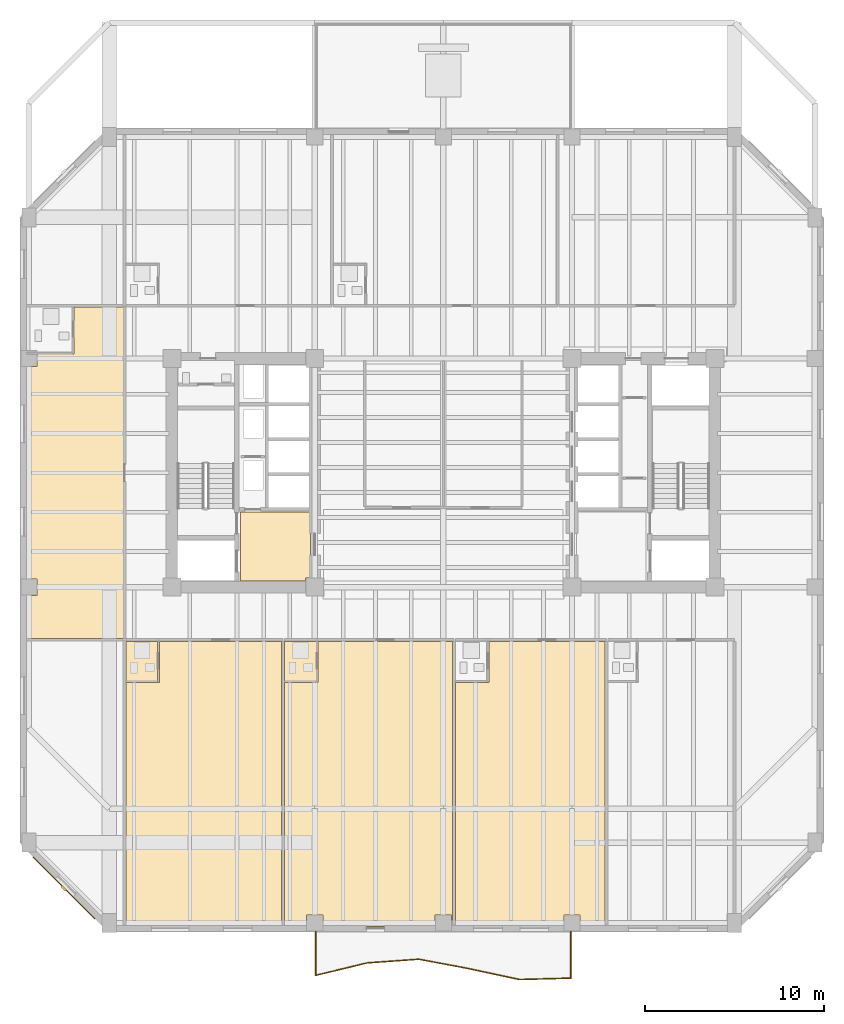
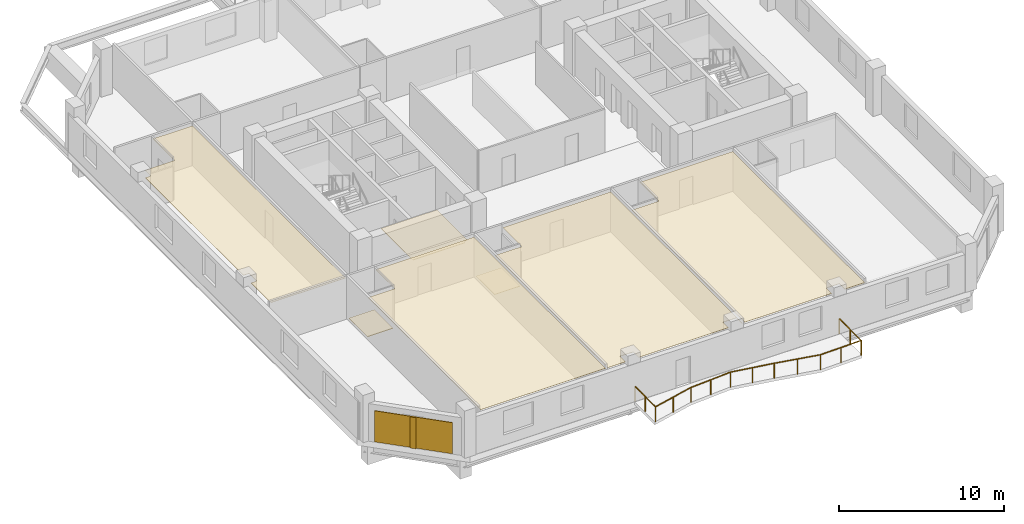
# One storey, part 7 of 11: 8 coverings, 1 railing, 1 shading device.
"""IFC4 building model written with IfcOpenShell, lengths in metres."""

from ifc_helpers import new_model, si_unit, direction, frame, origin, origin_2d, place, context, subcontext, project, spatial, polyline, rectangle, circle, outline, extrude, material, layer, layer_set, type_object, element, save


model = new_model("IFC4")

# Units and contexts
model_context = context("Model", 3, precision=1e-05, world=origin(), true_north=direction((0.0, 1.0)))
body_context = subcontext(model_context, "Body", "Model", "MODEL_VIEW")
ifc_project = project(units=[si_unit("LENGTHUNIT", "METRE"), si_unit("AREAUNIT", "SQUARE_METRE"), si_unit("VOLUMEUNIT", "CUBIC_METRE"), si_unit("PLANEANGLEUNIT", "RADIAN"), si_unit("MASSUNIT", "GRAM", prefix="KILO")], contexts=[model_context])

# Site, building, storey
site_placement = place(None, origin())
site = spatial("IfcSite", under=ifc_project, at=site_placement, CompositionType="ELEMENT")
building_placement = place(site_placement, origin())
building = spatial("IfcBuilding", under=site, at=building_placement, Name="Kranthara Brick Stack", CompositionType="ELEMENT")
storey_placement = place(building_placement, frame((0.0, 0.0, 120.300048828125)))
storey = spatial("IfcBuildingStorey", under=building, at=storey_placement, Name="L29", CompositionType="ELEMENT", Elevation=120.300048828125)

# Coverings
ifc_material_1 = material(Name="Perforated mineral-fibre acoustic ceiling tile", Category="other")
ifc_layer_1 = layer(ifc_material_1, 0.02490234375)
ifc_layer_set_1 = layer_set([ifc_layer_1], Name="Perforated mineral-fibre acoustic ceiling tile")
covering_type_1 = type_object("IfcCoveringType", Name="COV-CEIL-ACOUSTIC", PredefinedType="CEILING", material=ifc_layer_set_1)
covering_1_placement = place(storey_placement, frame((0.0, 0.0, 2.929931640625)))
element("IfcCovering", 1, at=covering_1_placement, inside=storey, type_object=covering_type_1, Name="L29 Room L29-01 Corner Junior Suite Acoustic Ceiling", PredefinedType="CEILING", context=body_context, shape_type="SweptSolid", body=[
    extrude(outline(polyline([(10.22998046875, 1.800048828125), (18.948974609375, 1.800048828125), (18.948974609375, 17.77001953125), (12.110107421875, 17.77001953125), (12.110107421875, 15.4599609375), (10.22998046875, 15.4599609375), (10.22998046875, 1.800048828125)])), origin(), (0.0, 0.0, 1.0), 0.02490234375),
])
covering_2_placement = place(storey_placement, frame((0.0, 0.0, 2.929931640625)))
element("IfcCovering", 2, at=covering_2_placement, inside=storey, type_object=covering_type_1, Name="L29 Room L29-02 Corner Junior Suite Acoustic Ceiling", PredefinedType="CEILING", context=body_context, shape_type="SweptSolid", body=[
    extrude(outline(polyline([(19.10888671875, 15.4599609375), (20.989013671875, 15.4599609375), (20.989013671875, 17.77001953125), (28.510986328125, 17.77001953125), (28.510986328125, 1.800048828125), (28.4599609375, 1.800048828125), (28.4599609375, 2.4599609375), (27.5400390625, 2.4599609375), (27.5400390625, 1.800048828125), (21.260009765625, 1.800048828125), (21.260009765625, 2.4599609375), (20.340087890625, 2.4599609375), (20.340087890625, 1.800048828125), (19.10888671875, 1.800048828125), (19.10888671875, 15.4599609375)])), origin(), (0.0, 0.0, 1.0), 0.02490234375),
])
covering_3_placement = place(storey_placement, frame((0.0, 0.0, 2.929931640625)))
element("IfcCovering", 3, at=covering_3_placement, inside=storey, type_object=covering_type_1, Name="L29 Room L29-03 Corner Junior Suite Acoustic Ceiling", PredefinedType="CEILING", context=body_context, shape_type="SweptSolid", body=[
    extrude(outline(polyline([(28.6708984375, 1.800048828125), (28.6708984375, 15.4599609375), (30.551025390625, 15.4599609375), (30.551025390625, 17.77001953125), (37.049072265625, 17.77001953125), (37.049072265625, 1.800048828125), (35.659912109375, 1.800048828125), (35.659912109375, 2.4599609375), (34.739990234375, 2.4599609375), (34.739990234375, 1.800048828125), (28.6708984375, 1.800048828125)])), origin(), (0.0, 0.0, 1.0), 0.02490234375),
])
covering_4_placement = place(storey_placement, frame((0.0, 0.0, 2.929931640625)))
element("IfcCovering", 4, at=covering_4_placement, inside=storey, type_object=covering_type_1, Name="L29 Room L29-08 Corner Junior Suite Acoustic Ceiling", PredefinedType="CEILING", context=body_context, shape_type="SweptSolid", body=[
    extrude(outline(polyline([(7.330078125, 33.840087890625), (7.330078125, 36.469970703125), (10.080078125, 36.469970703125), (10.080078125, 17.929931640625), (4.8701171875, 17.929931640625), (4.8701171875, 20.340087890625), (5.260009765625, 20.340087890625), (5.260009765625, 21.260009765625), (4.8701171875, 21.260009765625), (4.8701171875, 33.139892578125), (5.260009765625, 33.139892578125), (5.260009765625, 33.840087890625), (7.330078125, 33.840087890625)])), origin(), (0.0, 0.0, 1.0), 0.02490234375),
])
ifc_material_2 = material(Name="Warm buff kiln-fired brick slip rainscreen", Category="masonry")
ifc_layer_2 = layer(ifc_material_2, 0.044921875)
ifc_layer_set_2 = layer_set([ifc_layer_2], Name="Warm buff kiln-fired brick slip rainscreen")
covering_type_2 = type_object("IfcCoveringType", Name="COV-CLAD-BRICK", PredefinedType="CLADDING", material=ifc_layer_set_2)
covering_5_placement = place(storey_placement, frame((6.759521484375, 3.959716796875, 0.0498046875), z_axis=(0.0, 0.0, 1.0), x_axis=(-0.707106781187, 0.707106781187, 0.0)))
element("IfcCovering", 5, at=covering_5_placement, inside=storey, type_object=covering_type_2, Name="L29 Chamfer Brick Rainscreen Cladding SW", PredefinedType="CLADDING", context=body_context, shape_type="SweptSolid", body=[
    extrude(rectangle(XDim=4.89306640625, YDim=0.044921875, at=origin_2d()), origin(), (0.0, 0.0, 1.0), 2.300048828125),
])
ifc_material_3 = material(Name="Honed terrazzo and porcelain floor finish", Category="stone")
ifc_layer_3 = layer(ifc_material_3, 0.030029296875)
ifc_layer_set_3 = layer_set([ifc_layer_3], Name="Honed terrazzo and porcelain floor finish")
covering_type_3 = type_object("IfcCoveringType", Name="COV-FLOR-STONE", PredefinedType="FLOORING", material=ifc_layer_set_3)
covering_6_placement = place(storey_placement, origin())
element("IfcCovering", 6, at=covering_6_placement, inside=storey, type_object=covering_type_3, Name="L29 Lift Lobby Stone Flooring", PredefinedType="FLOORING", context=body_context, shape_type="SweptSolid", body=[
    extrude(outline(polyline([(16.64990234375, 21.14990234375), (16.64990234375, 25.0), (20.550048828125, 25.0), (20.550048828125, 21.31005859375), (20.2900390625, 21.31005859375), (20.2900390625, 21.14990234375), (16.64990234375, 21.14990234375)])), origin(), (0.0, 0.0, 1.0), 0.030029296875),
])
covering_7_placement = place(storey_placement, origin())
element("IfcCovering", 7, at=covering_7_placement, inside=storey, type_object=covering_type_3, Name="L29 Wet Room Porcelain Flooring", PredefinedType="FLOORING", context=body_context, shape_type="SweptSolid", body=[
    extrude(outline(polyline([(10.22998046875, 15.52001953125), (10.22998046875, 17.77001953125), (12.010009765625, 17.77001953125), (12.010009765625, 15.52001953125), (10.22998046875, 15.52001953125)])), origin(), (0.0, 0.0, 1.0), 0.030029296875),
])
covering_8_placement = place(storey_placement, origin())
element("IfcCovering", 8, at=covering_8_placement, inside=storey, type_object=covering_type_3, Name="L29 Wet Room Porcelain Flooring", PredefinedType="FLOORING", context=body_context, shape_type="SweptSolid", body=[
    extrude(outline(polyline([(19.10888671875, 15.52001953125), (19.10888671875, 17.77001953125), (20.888916015625, 17.77001953125), (20.888916015625, 15.52001953125), (19.10888671875, 15.52001953125)])), origin(), (0.0, 0.0, 1.0), 0.030029296875),
])

# Railing
ifc_material_4 = material(Name="Bronze anodised aluminium and laminated glass balustrade", Category="aluminium")
railing_type = type_object("IfcRailingType", Name="RL-BALC-1120", PredefinedType="BALUSTRADE", material=ifc_material_4)
railing_placement = place(storey_placement, frame((35.139892578125, 1.56005859375, 0.0)))
element("IfcRailing", 9, at=railing_placement, inside=storey, type_object=railing_type, Name="L29 South Rippling Balcony Balustrade", PredefinedType="BALUSTRADE", context=body_context, shape_type="SweptSolid", body=[
    extrude(circle(Radius=0.02392578125, at=origin_2d()), frame((0.0, 0.0, 1.09619140625), z_axis=(0.000184365779, -0.999999983005, 0.0), x_axis=(0.999999983005, 0.000184365779, 0.0)), (0.0, 0.0, 1.0), 2.6484375),
    extrude(circle(Radius=0.02392578125, at=origin_2d()), frame((0.00048828125, -2.6484375, 1.09619140625), z_axis=(-0.999627318671, -0.027298786923, 0.0), x_axis=(0.027298786923, -0.999627318671, 0.0)), (0.0, 0.0, 1.0), 2.879638671875),
    extrude(circle(Radius=0.02392578125, at=origin_2d()), frame((-2.878173828125, -2.72705078125, 1.09619140625), z_axis=(-0.97773563355, 0.209840489147, 0.0), x_axis=(-0.209840489147, -0.97773563355, 0.0)), (0.0, 0.0, 1.0), 2.94482421875),
    extrude(circle(Radius=0.02392578125, at=origin_2d()), frame((-5.75732421875, -2.109130859375, 1.09619140625), z_axis=(-0.98278949923, 0.184728991239, 0.0), x_axis=(-0.184728991239, -0.98278949923, 0.0)), (0.0, 0.0, 1.0), 2.81103515625),
    extrude(circle(Radius=0.02392578125, at=origin_2d()), frame((-8.52001953125, -1.58984375, 1.09619140625), z_axis=(-0.997425974582, -0.07170373232, 0.0), x_axis=(0.07170373232, -0.997425974582, 0.0)), (0.0, 0.0, 1.0), 2.88720703125),
    extrude(circle(Radius=0.02392578125, at=origin_2d()), frame((-11.39990234375, -1.796875, 1.09619140625), z_axis=(-0.972172223001, -0.234267302084, 0.0), x_axis=(0.234267302084, -0.972172223001, 0.0)), (0.0, 0.0, 1.0), 2.962890625),
    extrude(circle(Radius=0.02392578125, at=origin_2d()), frame((-14.2802734375, -2.490966796875, 1.09619140625), z_axis=(0.000196020774, 0.999999980788, 0.0), x_axis=(-0.999999980788, 0.000196020774, 0.0)), (0.0, 0.0, 1.0), 2.490966796875),
    extrude(circle(Radius=0.02099609375, at=origin_2d()), origin(), (0.0, 0.0, 1.0), 1.072021484375),
    extrude(circle(Radius=0.02099609375, at=origin_2d()), frame((0.000244140625, -1.32421875, 0.0)), (0.0, 0.0, 1.0), 1.072021484375),
    extrude(circle(Radius=0.02099609375, at=origin_2d()), frame((0.00048828125, -2.6484375, 0.0)), (0.0, 0.0, 1.0), 1.072021484375),
    extrude(circle(Radius=0.02099609375, at=origin_2d()), frame((-1.43896484375, -2.687744140625, 0.0)), (0.0, 0.0, 1.0), 1.072021484375),
    extrude(circle(Radius=0.02099609375, at=origin_2d()), frame((-2.878173828125, -2.72705078125, 0.0)), (0.0, 0.0, 1.0), 1.072021484375),
    extrude(circle(Radius=0.02099609375, at=origin_2d()), frame((-4.31787109375, -2.41796875, 0.0)), (0.0, 0.0, 1.0), 1.072021484375),
    extrude(circle(Radius=0.02099609375, at=origin_2d()), frame((-5.75732421875, -2.109130859375, 0.0)), (0.0, 0.0, 1.0), 1.072021484375),
    extrude(circle(Radius=0.02099609375, at=origin_2d()), frame((-7.138671875, -1.849609375, 0.0)), (0.0, 0.0, 1.0), 1.072021484375),
    extrude(circle(Radius=0.02099609375, at=origin_2d()), frame((-8.52001953125, -1.58984375, 0.0)), (0.0, 0.0, 1.0), 1.072021484375),
    extrude(circle(Radius=0.02099609375, at=origin_2d()), frame((-9.9599609375, -1.693359375, 0.0)), (0.0, 0.0, 1.0), 1.072021484375),
    extrude(circle(Radius=0.02099609375, at=origin_2d()), frame((-11.39990234375, -1.796875, 0.0)), (0.0, 0.0, 1.0), 1.072021484375),
    extrude(circle(Radius=0.02099609375, at=origin_2d()), frame((-12.840087890625, -2.14404296875, 0.0)), (0.0, 0.0, 1.0), 1.072021484375),
    extrude(circle(Radius=0.02099609375, at=origin_2d()), frame((-14.2802734375, -2.490966796875, 0.0)), (0.0, 0.0, 1.0), 1.072021484375),
    extrude(circle(Radius=0.02099609375, at=origin_2d()), frame((-14.280029296875, -1.24560546875, 0.0)), (0.0, 0.0, 1.0), 1.072021484375),
    extrude(circle(Radius=0.02099609375, at=origin_2d()), frame((-14.27978515625, 0.0, 0.0)), (0.0, 0.0, 1.0), 1.072021484375),
])

# Shading device
ifc_material_5 = material(Name="Kiln-fired terracotta aerodynamic wind fin", Category="masonry")
shading_device_type = type_object("IfcShadingDeviceType", Name="SHD-BAFFLE-CORNER", PredefinedType="SHUTTER", material=ifc_material_5)
shading_device_placement = place(storey_placement, frame((6.73828125, 3.9384765625, 0.0498046875), z_axis=(0.0, 0.0, 1.0), x_axis=(-0.707106781187, 0.707106781187, 0.0)))
element("IfcShadingDevice", 10, at=shading_device_placement, inside=storey, type_object=shading_device_type, Name="L29 Chamfer Wind-Baffle Fin SW", PredefinedType="SHUTTER", context=body_context, shape_type="SweptSolid", body=[
    extrude(rectangle(XDim=0.35009765625, YDim=0.1201171875, at=origin_2d()), origin(), (0.0, 0.0, 1.0), 2.300048828125),
])

save(model, "model.ifc")
